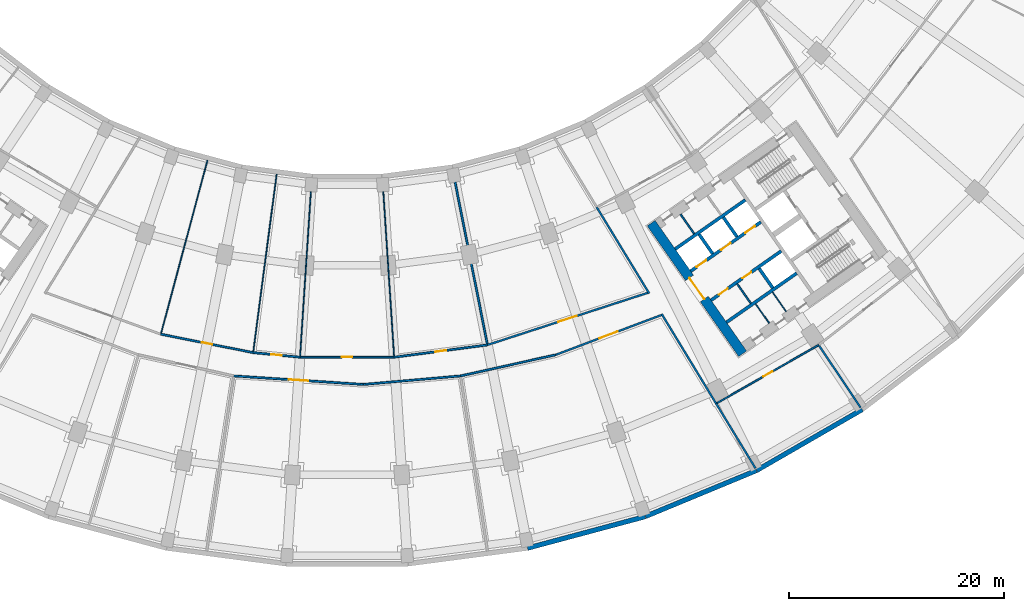
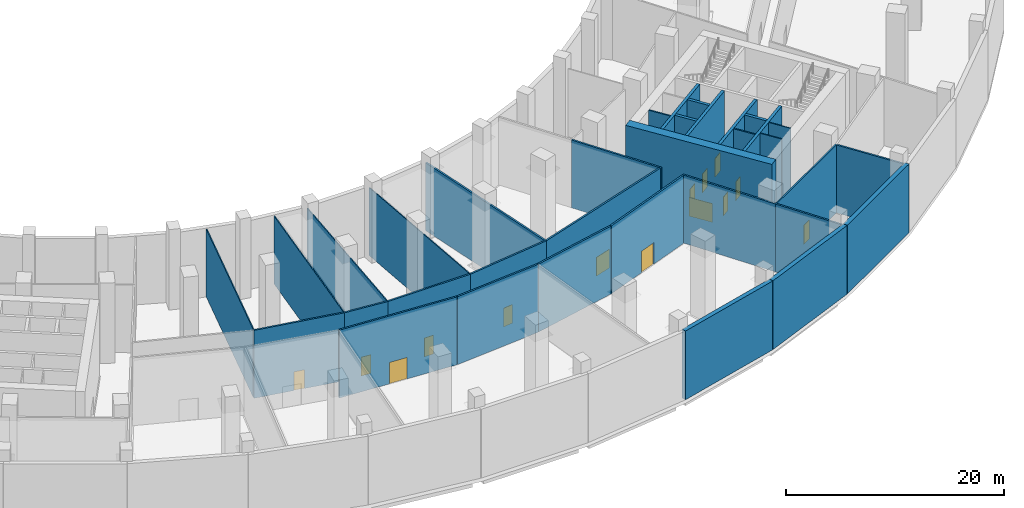
# One storey, part 8 of 17: 34 walls, 14 doors, 14 openings.
"""IFC4 building model written with IfcOpenShell, lengths in metres."""

from ifc_helpers import new_model, si_unit, direction, frame, frame_2d, origin, place, context, subcontext, project, spatial, rectangle, extrude, material, layer, layer_set, type_object, element, fill, save


model = new_model("IFC4")

# Units and contexts
model_context = context("Model", 3, precision=1e-05, world=origin(), true_north=direction((0.0, 1.0)))
body_context = subcontext(model_context, "Body", "Model", "MODEL_VIEW")
ifc_project = project(units=[si_unit("LENGTHUNIT", "METRE"), si_unit("AREAUNIT", "SQUARE_METRE"), si_unit("VOLUMEUNIT", "CUBIC_METRE"), si_unit("PLANEANGLEUNIT", "RADIAN"), si_unit("MASSUNIT", "GRAM", prefix="KILO")], contexts=[model_context])

# Site, building, storey
site_placement = place(None, origin())
site = spatial("IfcSite", under=ifc_project, at=site_placement, CompositionType="ELEMENT")
building_placement = place(site_placement, origin())
building = spatial("IfcBuilding", under=site, at=building_placement, Name="Qamariyya Broadcast Tower", CompositionType="ELEMENT")
storey_placement = place(building_placement, frame((0.0, 0.0, 18.0)))
storey = spatial("IfcBuildingStorey", under=building, at=storey_placement, Name="L02", CompositionType="ELEMENT", Elevation=18.0)

# Wall, opening, door
ifc_material_1 = material(Name="Concrete C70/85", Category="concrete")
ifc_layer_1 = layer(ifc_material_1, 0.89990234375)
ifc_layer_set_1 = layer_set([ifc_layer_1], Name="Core wall 900 mm Concrete C70/85")
wall_type_1 = type_object("IfcWallType", Name="Core wall 900 mm Concrete C70/85", PredefinedType="SHEAR", material=ifc_layer_set_1)
wall_1_placement = place(storey_placement, frame((36.716796875, -66.3369140625, 0.0), z_axis=(0.0, 0.0, 1.0), x_axis=(-0.573577477574, 0.819151315216, 0.0)))
wall_1 = element("IfcWall", 1, at=wall_1_placement, inside=storey, type_object=wall_type_1, Name="k-E-L02-WA", PredefinedType="SHEAR", context=body_context, shape_type="SweptSolid", body=[
    extrude(rectangle(XDim=14.800048828125, YDim=0.89990234375, at=frame_2d((7.39990234375, 0.0))), origin(), (0.0, 0.0, 1.0), 8.60009765625),
])
opening_1_placement = place(wall_1_placement, frame((6.199951171875, 0.0, 0.0)))
opening_1 = element("IfcOpeningElement", 2, at=opening_1_placement, cuts=wall_1, Name="Opening KD3-E1", PredefinedType="OPENING", context=body_context, shape_type="SweptSolid", body=[
    extrude(rectangle(XDim=2.39990234375, YDim=2.10009765625, at=frame_2d((1.199951171875, 1.050048828125))), frame((0.0, 0.4599609375, 0.0), z_axis=(0.0, -1.0, 0.0), x_axis=(1.0, 0.0, 0.0)), (0.0, 0.0, 1.0), 0.919921875),
])
ifc_material_2 = material(Name="Steel fire-resisting door leaf", Category="steel")
door_type_1 = type_object("IfcDoorType", Name="Lift lobby door KD3", OperationType="DOUBLE_DOOR_SINGLE_SWING", PredefinedType="DOOR", material=ifc_material_2)
door_1_placement = place(opening_1_placement, origin())
door_1 = element("IfcDoor", 3, at=door_1_placement, inside=storey, type_object=door_type_1, Name="k-E-L02-WA-D1", OperationType="DOUBLE_DOOR_SINGLE_SWING", OverallHeight=2.10009765625, OverallWidth=2.39990234375, PredefinedType="DOOR", context=body_context, shape_type="SweptSolid", body=[
    extrude(rectangle(XDim=2.39990234375, YDim=2.10009765625, at=frame_2d((1.199951171875, 1.050048828125))), frame((0.0, 0.02490234375, 0.0), z_axis=(0.0, -1.0, 0.0), x_axis=(1.0, 0.0, 0.0)), (0.0, 0.0, 1.0), 0.050048828125),
])
fill(opening_1, door_1)

ifc_material_3 = material(Name="Gypsum board partition")
ifc_layer_2 = layer(ifc_material_3, 0.14990234375)
ifc_layer_set_2 = layer_set([ifc_layer_2], Name="Corridor partition 150 EI 60")
wall_type_2 = type_object("IfcWallType", Name="Corridor partition 150 EI 60", PredefinedType="PARTITIONING", material=ifc_layer_set_2)
wall_2_placement = place(storey_placement, frame((43.779052734375, -65.519775390625, 0.0), z_axis=(0.0, 0.0, 1.0), x_axis=(-0.868109106225, -0.496373427663, 0.0)))
wall_2 = element("IfcWall", 4, at=wall_2_placement, inside=storey, type_object=wall_type_2, Name="Partition L02-047", PredefinedType="PARTITIONING", context=body_context, shape_type="SweptSolid", body=[
    extrude(rectangle(XDim=10.875244140625, YDim=0.14990234375, at=frame_2d((5.4375, 0.0))), origin(), (0.0, 0.0, 1.0), 7.60009765625),
])
opening_2_placement = place(wall_2_placement, frame((4.9375, 0.0, 0.0)))
opening_2 = element("IfcOpeningElement", 5, at=opening_2_placement, cuts=wall_2, Name="Opening L02-D20", PredefinedType="OPENING", context=body_context, shape_type="SweptSolid", body=[
    extrude(rectangle(XDim=1.0, YDim=2.10009765625, at=frame_2d((0.5, 1.050048828125))), frame((0.0, 0.0849609375, 0.0), z_axis=(0.0, -1.0, 0.0), x_axis=(1.0, 0.0, 0.0)), (0.0, 0.0, 1.0), 0.169921875),
])
ifc_material_4 = material(Name="Timber fire door leaf", Category="wood")
door_type_2 = type_object("IfcDoorType", Name="Fire door 1000 x 2100 FD60", OperationType="NOTDEFINED", PredefinedType="DOOR", material=ifc_material_4)
door_2_placement = place(opening_2_placement, origin())
door_2 = element("IfcDoor", 6, at=door_2_placement, inside=storey, type_object=door_type_2, Name="Door L02-D20", OperationType="SINGLE_SWING_RIGHT", OverallHeight=2.10009765625, OverallWidth=1.0, PredefinedType="DOOR", context=body_context, shape_type="SweptSolid", body=[
    extrude(rectangle(XDim=1.0, YDim=2.10009765625, at=frame_2d((0.5, 1.050048828125))), frame((0.0, 0.02490234375, 0.0), z_axis=(0.0, -1.0, 0.0), x_axis=(1.0, 0.0, 0.0)), (0.0, 0.0, 1.0), 0.050048828125),
])
fill(opening_2, door_2)

# Walls
ifc_material_5 = material(Name="Gypsum board partition on steel studs", Category="steel")
ifc_layer_3 = layer(ifc_material_5, 0.14990234375)
ifc_layer_set_3 = layer_set([ifc_layer_3], Name="Gypsum board partition 150 mm")
wall_type_3 = type_object("IfcWallType", Name="Gypsum board partition 150 mm", PredefinedType="PARTITIONING", material=ifc_layer_set_3)
for number, where, z_axis, x_axis, name in (
    (7, (36.2080078125, -59.85693359375, 0.0), (0.0, 0.0, 1.0), (0.573581496053, -0.819148501424, 0.0), "k-E-L02-SC285"),
    (8, (32.2177734375, -55.204345703125, 0.0), (0.0, 0.0, 1.0), (-0.573581496053, 0.819148501424, 0.0), "k-E-L02-NP225"),
):
    element("IfcWall", number, at=place(storey_placement, frame(where, z_axis=z_axis, x_axis=x_axis)), inside=storey, type_object=wall_type_3, Name=name, PredefinedType="PARTITIONING", context=body_context, shape_type="SweptSolid", body=[
        extrude(rectangle(XDim=2.2001953125, YDim=0.14990234375, at=frame_2d((1.10009765625, 0.0))), origin(), (0.0, 0.0, 1.0), 8.60009765625),
    ])

# Wall, openings, doors
ifc_material_6 = material(Name="Concrete C60/75", Category="concrete")
ifc_layer_4 = layer(ifc_material_6, 0.300048828125)
ifc_layer_set_4 = layer_set([ifc_layer_4], Name="Lift shaft wall 300 mm Concrete C60/75")
wall_type_4 = type_object("IfcWallType", Name="Lift shaft wall 300 mm Concrete C60/75", PredefinedType="SOLIDWALL", material=ifc_layer_set_4)
wall_3_placement = place(storey_placement, frame((31.89453125, -58.66552734375, 0.0), z_axis=(0.0, 0.0, 1.0), x_axis=(0.819166993208, 0.573555086491, 0.0)))
wall_3 = element("IfcWall", 9, at=wall_3_placement, inside=storey, type_object=wall_type_4, Name="k-E-L02-NF0", PredefinedType="SOLIDWALL", context=body_context, shape_type="SweptSolid", body=[
    extrude(rectangle(XDim=7.9501953125, YDim=0.300048828125, at=frame_2d((3.97509765625, 0.0))), origin(), (0.0, 0.0, 1.0), 8.60009765625),
])
opening_3_placement = place(wall_3_placement, frame((0.675048828125, 0.0, 0.0)))
opening_3 = element("IfcOpeningElement", 10, at=opening_3_placement, cuts=wall_3, Name="Opening LD", PredefinedType="OPENING", context=body_context, shape_type="SweptSolid", body=[
    extrude(rectangle(XDim=1.10009765625, YDim=2.10009765625, at=frame_2d((0.550048828125, 1.050048828125))), frame((0.0, 0.159912109375, 0.0), z_axis=(0.0, -1.0, 0.0), x_axis=(1.0, 0.0, 0.0)), (0.0, 0.0, 1.0), 0.320068359375),
])
opening_4_placement = place(wall_3_placement, frame((3.425048828125, 0.0, 0.0)))
opening_4 = element("IfcOpeningElement", 11, at=opening_4_placement, cuts=wall_3, Name="Opening LD", PredefinedType="OPENING", context=body_context, shape_type="SweptSolid", body=[
    extrude(rectangle(XDim=1.10009765625, YDim=2.10009765625, at=frame_2d((0.550048828125, 1.050048828125))), frame((0.0, 0.159912109375, 0.0), z_axis=(0.0, -1.0, 0.0), x_axis=(1.0, 0.0, 0.0)), (0.0, 0.0, 1.0), 0.320068359375),
])
opening_5_placement = place(wall_3_placement, frame((6.175048828125, 0.0, 0.0)))
opening_5 = element("IfcOpeningElement", 12, at=opening_5_placement, cuts=wall_3, Name="Opening LD", PredefinedType="OPENING", context=body_context, shape_type="SweptSolid", body=[
    extrude(rectangle(XDim=1.10009765625, YDim=2.10009765625, at=frame_2d((0.550048828125, 1.050048828125))), frame((0.0, 0.159912109375, 0.0), z_axis=(0.0, -1.0, 0.0), x_axis=(1.0, 0.0, 0.0)), (0.0, 0.0, 1.0), 0.320068359375),
])
door_type_3 = type_object("IfcDoorType", Name="Lift landing door LD", OperationType="DOUBLE_DOOR_SLIDING", PredefinedType="DOOR", material=ifc_material_2)
door_3_placement = place(opening_3_placement, origin())
door_3 = element("IfcDoor", 13, at=door_3_placement, inside=storey, type_object=door_type_3, Name="k-E-L02-NF0-D2", OperationType="DOUBLE_DOOR_SLIDING", OverallHeight=2.10009765625, OverallWidth=1.10009765625, PredefinedType="DOOR", context=body_context, shape_type="SweptSolid", body=[
    extrude(rectangle(XDim=1.10009765625, YDim=2.10009765625, at=frame_2d((0.550048828125, 1.050048828125))), frame((0.0, 0.02490234375, 0.0), z_axis=(0.0, -1.0, 0.0), x_axis=(1.0, 0.0, 0.0)), (0.0, 0.0, 1.0), 0.050048828125),
])
fill(opening_3, door_3)
door_4_placement = place(opening_4_placement, origin())
door_4 = element("IfcDoor", 14, at=door_4_placement, inside=storey, type_object=door_type_3, Name="k-E-L02-NF0-D3", OperationType="DOUBLE_DOOR_SLIDING", OverallHeight=2.10009765625, OverallWidth=1.10009765625, PredefinedType="DOOR", context=body_context, shape_type="SweptSolid", body=[
    extrude(rectangle(XDim=1.10009765625, YDim=2.10009765625, at=frame_2d((0.550048828125, 1.050048828125))), frame((0.0, 0.02490234375, 0.0), z_axis=(0.0, -1.0, 0.0), x_axis=(1.0, 0.0, 0.0)), (0.0, 0.0, 1.0), 0.050048828125),
])
fill(opening_4, door_4)
door_5_placement = place(opening_5_placement, origin())
door_5 = element("IfcDoor", 15, at=door_5_placement, inside=storey, type_object=door_type_3, Name="k-E-L02-NF0-D4", OperationType="DOUBLE_DOOR_SLIDING", OverallHeight=2.10009765625, OverallWidth=1.10009765625, PredefinedType="DOOR", context=body_context, shape_type="SweptSolid", body=[
    extrude(rectangle(XDim=1.10009765625, YDim=2.10009765625, at=frame_2d((0.550048828125, 1.050048828125))), frame((0.0, 0.02490234375, 0.0), z_axis=(0.0, -1.0, 0.0), x_axis=(1.0, 0.0, 0.0)), (0.0, 0.0, 1.0), 0.050048828125),
])
fill(opening_5, door_5)

# Walls
wall_4_placement = place(storey_placement, frame((30.460693359375, -56.61767578125, 0.0), z_axis=(0.0, 0.0, 1.0), x_axis=(0.819142461705, 0.573590121456, 0.0)))
element("IfcWall", 16, at=wall_4_placement, inside=storey, type_object=wall_type_4, Name="k-E-L02-NB0", PredefinedType="SOLIDWALL", context=body_context, shape_type="SweptSolid", body=[
    extrude(rectangle(XDim=7.949951171875, YDim=0.300048828125, at=frame_2d((3.97509765625, 0.0))), origin(), (0.0, 0.0, 1.0), 8.60009765625),
])
wall_5_placement = place(storey_placement, frame((33.9384765625, -57.051513671875, 0.0), z_axis=(0.0, 0.0, 1.0), x_axis=(-0.573581496053, 0.819148501424, 0.0)))
element("IfcWall", 17, at=wall_5_placement, inside=storey, type_object=wall_type_4, Name="k-E-L02-ND0", PredefinedType="SOLIDWALL", context=body_context, shape_type="SweptSolid", body=[
    extrude(rectangle(XDim=2.2001953125, YDim=0.300048828125, at=frame_2d((1.10009765625, 0.0))), origin(), (0.0, 0.0, 1.0), 8.60009765625),
])
wall_6_placement = place(storey_placement, frame((36.19091796875, -55.47412109375, 0.0), z_axis=(0.0, 0.0, 1.0), x_axis=(-0.573507030513, 0.819200638399, 0.0)))
element("IfcWall", 18, at=wall_6_placement, inside=storey, type_object=wall_type_4, Name="k-E-L02-ND1", PredefinedType="SOLIDWALL", context=body_context, shape_type="SweptSolid", body=[
    extrude(rectangle(XDim=2.199951171875, YDim=0.300048828125, at=frame_2d((1.10009765625, 0.0))), origin(), (0.0, 0.0, 1.0), 8.60009765625),
])

# Wall, openings, doors
wall_7_placement = place(storey_placement, frame((33.787353515625, -61.368896484375, 0.0), z_axis=(0.0, 0.0, 1.0), x_axis=(0.819152564888, 0.573575692858, 0.0)))
wall_7 = element("IfcWall", 19, at=wall_7_placement, inside=storey, type_object=wall_type_4, Name="k-E-L02-SF0", PredefinedType="SOLIDWALL", context=body_context, shape_type="SweptSolid", body=[
    extrude(rectangle(XDim=7.9501953125, YDim=0.300048828125, at=frame_2d((3.97509765625, 0.0))), origin(), (0.0, 0.0, 1.0), 8.60009765625),
])
opening_6_placement = place(wall_7_placement, frame((0.887451171875, 0.0, 0.0)))
opening_6 = element("IfcOpeningElement", 20, at=opening_6_placement, cuts=wall_7, Name="Opening KD4-E1", PredefinedType="OPENING", context=body_context, shape_type="SweptSolid", body=[
    extrude(rectangle(XDim=1.0, YDim=2.10009765625, at=frame_2d((0.5, 1.050048828125))), frame((0.0, 0.159912109375, 0.0), z_axis=(0.0, -1.0, 0.0), x_axis=(1.0, 0.0, 0.0)), (0.0, 0.0, 1.0), 0.320068359375),
])
opening_7_placement = place(wall_7_placement, frame((3.5625, 0.0, 0.0)))
opening_7 = element("IfcOpeningElement", 21, at=opening_7_placement, cuts=wall_7, Name="Opening KD6-E1", PredefinedType="OPENING", context=body_context, shape_type="SweptSolid", body=[
    extrude(rectangle(XDim=1.0, YDim=2.10009765625, at=frame_2d((0.5, 1.050048828125))), frame((0.0, 0.159912109375, 0.0), z_axis=(0.0, -1.0, 0.0), x_axis=(1.0, 0.0, 0.0)), (0.0, 0.0, 1.0), 0.320068359375),
])
door_type_4 = type_object("IfcDoorType", Name="Core room door KD6", OperationType="SINGLE_SWING_LEFT", PredefinedType="DOOR", material=ifc_material_2)
door_6_placement = place(opening_7_placement, origin())
door_6 = element("IfcDoor", 22, at=door_6_placement, inside=storey, type_object=door_type_4, Name="k-E-L02-SF0-D6", OperationType="SINGLE_SWING_RIGHT", OverallHeight=2.10009765625, OverallWidth=1.0, PredefinedType="DOOR", context=body_context, shape_type="SweptSolid", body=[
    extrude(rectangle(XDim=1.0, YDim=2.10009765625, at=frame_2d((0.5, 1.050048828125))), frame((0.0, 0.02490234375, 0.0), z_axis=(0.0, -1.0, 0.0), x_axis=(1.0, 0.0, 0.0)), (0.0, 0.0, 1.0), 0.050048828125),
])
fill(opening_7, door_6)
door_type_5 = type_object("IfcDoorType", Name="Riser and plant door KD4", OperationType="SINGLE_SWING_LEFT", PredefinedType="DOOR", material=ifc_material_2)
door_7_placement = place(opening_6_placement, origin())
door_7 = element("IfcDoor", 23, at=door_7_placement, inside=storey, type_object=door_type_5, Name="k-E-L02-SF0-D5", OperationType="SINGLE_SWING_LEFT", OverallHeight=2.10009765625, OverallWidth=1.0, PredefinedType="DOOR", context=body_context, shape_type="SweptSolid", body=[
    extrude(rectangle(XDim=1.0, YDim=2.10009765625, at=frame_2d((0.5, 1.050048828125))), frame((0.0, 0.02490234375, 0.0), z_axis=(0.0, -1.0, 0.0), x_axis=(1.0, 0.0, 0.0)), (0.0, 0.0, 1.0), 0.050048828125),
])
fill(opening_6, door_7)

# Walls
wall_8_placement = place(storey_placement, frame((35.22119140625, -63.41650390625, 0.0), z_axis=(0.0, 0.0, 1.0), x_axis=(0.819166993208, 0.573555086491, 0.0)))
element("IfcWall", 24, at=wall_8_placement, inside=storey, type_object=wall_type_4, Name="k-E-L02-SB0", PredefinedType="SOLIDWALL", context=body_context, shape_type="SweptSolid", body=[
    extrude(rectangle(XDim=7.9501953125, YDim=0.300048828125, at=frame_2d((3.97509765625, 0.0))), origin(), (0.0, 0.0, 1.0), 8.60009765625),
])
wall_9_placement = place(storey_placement, frame((38.255859375, -58.423095703125, 0.0), z_axis=(0.0, 0.0, 1.0), x_axis=(0.573633636671, -0.819111989218, 0.0)))
element("IfcWall", 25, at=wall_9_placement, inside=storey, type_object=wall_type_4, Name="k-E-L02-SD1", PredefinedType="SOLIDWALL", context=body_context, shape_type="SweptSolid", body=[
    extrude(rectangle(XDim=2.199951171875, YDim=0.300048828125, at=frame_2d((1.10009765625, 0.0))), origin(), (0.0, 0.0, 1.0), 8.60009765625),
])
ifc_layer_5 = layer(ifc_material_3, 0.10009765625)
ifc_layer_set_5 = layer_set([ifc_layer_5], Name="Partition 100")
wall_type_5 = type_object("IfcWallType", Name="Partition 100", PredefinedType="PARTITIONING", material=ifc_layer_set_5)
wall_10_placement = place(storey_placement, frame((-12.965087890625, -48.386474609375, 0.0), z_axis=(0.0, 0.0, 1.0), x_axis=(-0.258822009397, -0.965925032004, 0.0)))
element("IfcWall", 26, at=wall_10_placement, inside=storey, type_object=wall_type_5, Name="Partition L02-026", PredefinedType="PARTITIONING", context=body_context, shape_type="SweptSolid", body=[
    extrude(rectangle(XDim=16.61669921875, YDim=0.10009765625, at=frame_2d((8.308349609375, 0.0))), origin(), (0.0, 0.0, 1.0), 7.60009765625),
])
wall_11_placement = place(storey_placement, frame((-6.53857421875, -49.6650390625, 0.0), z_axis=(0.0, 0.0, 1.0), x_axis=(-0.130529385637, -0.991444440947, 0.0)))
element("IfcWall", 27, at=wall_11_placement, inside=storey, type_object=wall_type_5, Name="Partition L02-029", PredefinedType="PARTITIONING", context=body_context, shape_type="SweptSolid", body=[
    extrude(rectangle(XDim=16.616455078125, YDim=0.10009765625, at=frame_2d((8.30810546875, 0.0))), origin(), (0.0, 0.0, 1.0), 7.60009765625),
])
for number, where, z_axis, x_axis, name in (
    (28, (-3.283203125, -50.092529296875, 0.0), (0.0, 0.0, 1.0), (-0.065405001109, -0.997858800547, 0.0), "Partition L02-031"),
    (29, (3.283203125, -50.092529296875, 0.0), (0.0, 0.0, 1.0), (0.065405001109, -0.997858800547, 0.0), "Partition L02-033"),
):
    element("IfcWall", number, at=place(storey_placement, frame(where, z_axis=z_axis, x_axis=x_axis)), inside=storey, type_object=wall_type_5, Name=name, PredefinedType="PARTITIONING", context=body_context, shape_type="SweptSolid", body=[
        extrude(rectangle(XDim=16.510009765625, YDim=0.10009765625, at=frame_2d((8.2548828125, 0.0))), origin(), (0.0, 0.0, 1.0), 7.60009765625),
    ])
ifc_material_7 = material(Name="Precast concrete C40/50 with terracotta facing", Category="masonry")
ifc_layer_6 = layer(ifc_material_7, 0.449951171875)
ifc_layer_set_6 = layer_set([ifc_layer_6], Name="Precast concrete C40/50 wall 450, terracotta faced")
wall_type_6 = type_object("IfcWallType", Name="Precast concrete C40/50 wall 450, terracotta faced", PredefinedType="SOLIDWALL", material=ifc_layer_set_6)
wall_12_placement = place(storey_placement, frame((16.753662109375, -84.37939453125, 0.0), z_axis=(0.0, 0.0, 1.0), x_axis=(0.965923678926, 0.258827059038, 0.0)))
element("IfcWall", 30, at=wall_12_placement, inside=storey, type_object=wall_type_6, Name="e-wl-L02-out120", PredefinedType="SOLIDWALL", context=body_context, shape_type="SweptSolid", body=[
    extrude(rectangle(XDim=11.3125, YDim=0.449951171875, at=frame_2d((5.65625, 0.0))), origin(), (0.0, 0.0, 1.0), 7.699951171875),
])
wall_13_placement = place(storey_placement, frame((27.7060546875, -81.436767578125, 0.0), z_axis=(0.0, 0.0, 1.0), x_axis=(0.923874126662, 0.382696482978, 0.0)))
element("IfcWall", 31, at=wall_13_placement, inside=storey, type_object=wall_type_6, Name="e-wl-L02-out130", PredefinedType="SOLIDWALL", context=body_context, shape_type="SweptSolid", body=[
    extrude(rectangle(XDim=11.134765625, YDim=0.449951171875, at=frame_2d((5.5673828125, 0.0))), origin(), (0.0, 0.0, 1.0), 7.699951171875),
])
wall_14_placement = place(storey_placement, frame((38.021728515625, -77.16796875, 0.0), z_axis=(0.0, 0.0, 1.0), x_axis=(0.866024577697, 0.500001430823, 0.0)))
element("IfcWall", 32, at=wall_14_placement, inside=storey, type_object=wall_type_6, Name="e-wl-L02-out140", PredefinedType="SOLIDWALL", context=body_context, shape_type="SweptSolid", body=[
    extrude(rectangle(XDim=11.3125, YDim=0.449951171875, at=frame_2d((5.65625, 0.0))), origin(), (0.0, 0.0, 1.0), 7.699951171875),
])
ifc_material_8 = material(Name="Fire-rated gypsum shaft liner on steel studs", Category="steel")
ifc_layer_7 = layer(ifc_material_8, 0.10009765625)
ifc_layer_set_7 = layer_set([ifc_layer_7], Name="Riser wall 100 mm")
wall_type_7 = type_object("IfcWallType", Name="Riser wall 100 mm", PredefinedType="PLUMBINGWALL", material=ifc_layer_set_7)
wall_15_placement = place(storey_placement, frame((37.9287109375, -61.7041015625, 0.0), z_axis=(0.0, 0.0, 1.0), x_axis=(0.573559170999, -0.819164133348, 0.0)))
element("IfcWall", 33, at=wall_15_placement, inside=storey, type_object=wall_type_7, Name="k-E-L02-SP320", PredefinedType="PLUMBINGWALL", context=body_context, shape_type="SweptSolid", body=[
    extrude(rectangle(XDim=2.19970703125, YDim=0.10009765625, at=frame_2d((1.099853515625, 0.0))), origin(), (0.0, 0.0, 1.0), 8.60009765625),
])
wall_16_placement = place(storey_placement, frame((39.485107421875, -60.6142578125, 0.0), z_axis=(0.0, 0.0, 1.0), x_axis=(0.573507030513, -0.819200638399, 0.0)))
element("IfcWall", 34, at=wall_16_placement, inside=storey, type_object=wall_type_7, Name="k-E-L02-SP510", PredefinedType="PLUMBINGWALL", context=body_context, shape_type="SweptSolid", body=[
    extrude(rectangle(XDim=2.199951171875, YDim=0.10009765625, at=frame_2d((1.10009765625, 0.0))), origin(), (0.0, 0.0, 1.0), 8.60009765625),
])

# Wall, opening, door
ifc_layer_8 = layer(ifc_material_3, 0.179931640625)
ifc_layer_set_8 = layer_set([ifc_layer_8], Name="Studio acoustic partition 180 EI 60")
wall_type_8 = type_object("IfcWallType", Name="Studio acoustic partition 180 EI 60", PredefinedType="PARTITIONING", material=ifc_layer_set_8)
wall_17_placement = place(storey_placement, frame((-17.2890625, -64.52392578125, 0.0), z_axis=(0.0, 0.0, 1.0), x_axis=(0.980786466832, -0.195084357342, 0.0)))
wall_17 = element("IfcWall", 35, at=wall_17_placement, inside=storey, type_object=wall_type_8, Name="Partition L02-024", PredefinedType="PARTITIONING", context=body_context, shape_type="SweptSolid", body=[
    extrude(rectangle(XDim=8.73779296875, YDim=0.179931640625, at=frame_2d((4.368896484375, 0.0))), origin(), (0.0, 0.0, 1.0), 7.60009765625),
])
opening_8_placement = place(wall_17_placement, frame((3.868896484375, 0.0, 0.0)))
opening_8 = element("IfcOpeningElement", 36, at=opening_8_placement, cuts=wall_17, Name="Opening L02-D06", PredefinedType="OPENING", context=body_context, shape_type="SweptSolid", body=[
    extrude(rectangle(XDim=1.0, YDim=2.10009765625, at=frame_2d((0.5, 1.050048828125))), frame((0.0, 0.099853515625, 0.0), z_axis=(0.0, -1.0, 0.0), x_axis=(1.0, 0.0, 0.0)), (0.0, 0.0, 1.0), 0.199951171875),
])
door_8_placement = place(opening_8_placement, origin())
door_8 = element("IfcDoor", 37, at=door_8_placement, inside=storey, type_object=door_type_2, Name="Door L02-D06", OperationType="SINGLE_SWING_RIGHT", OverallHeight=2.10009765625, OverallWidth=1.0, PredefinedType="DOOR", context=body_context, shape_type="SweptSolid", body=[
    extrude(rectangle(XDim=1.0, YDim=2.10009765625, at=frame_2d((0.5, 1.050048828125))), frame((0.0, 0.02490234375, 0.0), z_axis=(0.0, -1.0, 0.0), x_axis=(1.0, 0.0, 0.0)), (0.0, 0.0, 1.0), 0.050048828125),
])
fill(opening_8, door_8)

wall_18_placement = place(storey_placement, frame((1.501708984375, -69.182861328125, 0.0), z_axis=(0.0, 0.0, 1.0), x_axis=(-0.997858639377, 0.065407459975, 0.0)))
wall_18 = element("IfcWall", 38, at=wall_18_placement, inside=storey, type_object=wall_type_8, Name="Partition L02-027", PredefinedType="PARTITIONING", context=body_context, shape_type="SweptSolid", body=[
    extrude(rectangle(XDim=12.056396484375, YDim=0.179931640625, at=frame_2d((6.0283203125, 0.0))), origin(), (0.0, 0.0, 1.0), 7.60009765625),
])
opening_9_placement = place(wall_18_placement, frame((5.128173828125, 0.0, 0.0)))
opening_9 = element("IfcOpeningElement", 39, at=opening_9_placement, cuts=wall_18, Name="Opening L02-D03", PredefinedType="OPENING", context=body_context, shape_type="SweptSolid", body=[
    extrude(rectangle(XDim=1.800048828125, YDim=2.39990234375, at=frame_2d((0.89990234375, 1.199951171875))), frame((0.0, 0.099853515625, 0.0), z_axis=(0.0, -1.0, 0.0), x_axis=(1.0, 0.0, 0.0)), (0.0, 0.0, 1.0), 0.199951171875),
])
ifc_material_9 = material(Name="Acoustic timber door leaf", Category="wood")
door_type_6 = type_object("IfcDoorType", Name="Studio double door 1800 x 2400 FD60", OperationType="NOTDEFINED", PredefinedType="DOOR", material=ifc_material_9)
door_9_placement = place(opening_9_placement, origin())
door_9 = element("IfcDoor", 40, at=door_9_placement, inside=storey, type_object=door_type_6, Name="Door L02-D03", OperationType="DOUBLE_DOOR_SINGLE_SWING", OverallHeight=2.39990234375, OverallWidth=1.800048828125, PredefinedType="DOOR", context=body_context, shape_type="SweptSolid", body=[
    extrude(rectangle(XDim=1.800048828125, YDim=2.39990234375, at=frame_2d((0.89990234375, 1.199951171875))), frame((0.0, 0.02490234375, 0.0), z_axis=(0.0, -1.0, 0.0), x_axis=(1.0, 0.0, 0.0)), (0.0, 0.0, 1.0), 0.050048828125),
])
fill(opening_9, door_9)

wall_19_placement = place(storey_placement, frame((-8.71923828125, -66.228515625, 0.0), z_axis=(0.0, 0.0, 1.0), x_axis=(0.995184826457, -0.098016127192, 0.0)))
wall_19 = element("IfcWall", 41, at=wall_19_placement, inside=storey, type_object=wall_type_8, Name="Partition L02-028", PredefinedType="PARTITIONING", context=body_context, shape_type="SweptSolid", body=[
    extrude(rectangle(XDim=4.371337890625, YDim=0.179931640625, at=frame_2d((2.185546875, 0.0))), origin(), (0.0, 0.0, 1.0), 7.60009765625),
])
opening_10_placement = place(wall_19_placement, frame((1.685546875, 0.0, 0.0)))
opening_10 = element("IfcOpeningElement", 42, at=opening_10_placement, cuts=wall_19, Name="Opening L02-D07", PredefinedType="OPENING", context=body_context, shape_type="SweptSolid", body=[
    extrude(rectangle(XDim=1.0, YDim=2.10009765625, at=frame_2d((0.5, 1.050048828125))), frame((0.0, 0.099853515625, 0.0), z_axis=(0.0, -1.0, 0.0), x_axis=(1.0, 0.0, 0.0)), (0.0, 0.0, 1.0), 0.199951171875),
])
door_10_placement = place(opening_10_placement, origin())
door_10 = element("IfcDoor", 43, at=door_10_placement, inside=storey, type_object=door_type_2, Name="Door L02-D07", OperationType="SINGLE_SWING_RIGHT", OverallHeight=2.10009765625, OverallWidth=1.0, PredefinedType="DOOR", context=body_context, shape_type="SweptSolid", body=[
    extrude(rectangle(XDim=1.0, YDim=2.10009765625, at=frame_2d((0.5, 1.050048828125))), frame((0.0, 0.02490234375, 0.0), z_axis=(0.0, -1.0, 0.0), x_axis=(1.0, 0.0, 0.0)), (0.0, 0.0, 1.0), 0.050048828125),
])
fill(opening_10, door_10)

wall_20_placement = place(storey_placement, frame((-4.368896484375, -66.656982421875, 0.0), z_axis=(0.0, 0.0, 1.0), x_axis=(1.0, 0.0, 0.0)))
wall_20 = element("IfcWall", 44, at=wall_20_placement, inside=storey, type_object=wall_type_8, Name="Partition L02-030", PredefinedType="PARTITIONING", context=body_context, shape_type="SweptSolid", body=[
    extrude(rectangle(XDim=8.73779296875, YDim=0.179931640625, at=frame_2d((4.368896484375, 0.0))), origin(), (0.0, 0.0, 1.0), 7.60009765625),
])
opening_11_placement = place(wall_20_placement, frame((3.868896484375, 0.0, 0.0)))
opening_11 = element("IfcOpeningElement", 45, at=opening_11_placement, cuts=wall_20, Name="Opening L02-D08", PredefinedType="OPENING", context=body_context, shape_type="SweptSolid", body=[
    extrude(rectangle(XDim=1.0, YDim=2.10009765625, at=frame_2d((0.5, 1.050048828125))), frame((0.0, 0.099853515625, 0.0), z_axis=(0.0, -1.0, 0.0), x_axis=(1.0, 0.0, 0.0)), (0.0, 0.0, 1.0), 0.199951171875),
])
door_11_placement = place(opening_11_placement, origin())
door_11 = element("IfcDoor", 46, at=door_11_placement, inside=storey, type_object=door_type_2, Name="Door L02-D08", OperationType="SINGLE_SWING_RIGHT", OverallHeight=2.10009765625, OverallWidth=1.0, PredefinedType="DOOR", context=body_context, shape_type="SweptSolid", body=[
    extrude(rectangle(XDim=1.0, YDim=2.10009765625, at=frame_2d((0.5, 1.050048828125))), frame((0.0, 0.02490234375, 0.0), z_axis=(0.0, -1.0, 0.0), x_axis=(1.0, 0.0, 0.0)), (0.0, 0.0, 1.0), 0.050048828125),
])
fill(opening_11, door_11)

# Wall
wall_21_placement = place(storey_placement, frame((1.521240234375, -69.1826171875, 0.0), z_axis=(0.0, 0.0, 1.0), x_axis=(0.996192105404, 0.087185372228, 0.0)))
element("IfcWall", 47, at=wall_21_placement, inside=storey, type_object=wall_type_8, Name="Partition L02-032", PredefinedType="PARTITIONING", context=body_context, shape_type="SweptSolid", body=[
    extrude(rectangle(XDim=9.0419921875, YDim=0.179931640625, at=frame_2d((4.52099609375, 0.0))), origin(), (0.0, 0.0, 1.0), 7.60009765625),
])

# Wall, opening, door
wall_22_placement = place(storey_placement, frame((4.368896484375, -66.656982421875, 0.0), z_axis=(0.0, 0.0, 1.0), x_axis=(0.991443260322, 0.130538352841, 0.0)))
wall_22 = element("IfcWall", 48, at=wall_22_placement, inside=storey, type_object=wall_type_8, Name="Partition L02-034", PredefinedType="PARTITIONING", context=body_context, shape_type="SweptSolid", body=[
    extrude(rectangle(XDim=8.73779296875, YDim=0.179931640625, at=frame_2d((4.368896484375, 0.0))), origin(), (0.0, 0.0, 1.0), 7.60009765625),
])
opening_12_placement = place(wall_22_placement, frame((3.868896484375, 0.0, 0.0)))
opening_12 = element("IfcOpeningElement", 49, at=opening_12_placement, cuts=wall_22, Name="Opening L02-D09", PredefinedType="OPENING", context=body_context, shape_type="SweptSolid", body=[
    extrude(rectangle(XDim=1.0, YDim=2.10009765625, at=frame_2d((0.5, 1.050048828125))), frame((0.0, 0.099853515625, 0.0), z_axis=(0.0, -1.0, 0.0), x_axis=(1.0, 0.0, 0.0)), (0.0, 0.0, 1.0), 0.199951171875),
])
door_12_placement = place(opening_12_placement, origin())
door_12 = element("IfcDoor", 50, at=door_12_placement, inside=storey, type_object=door_type_2, Name="Door L02-D09", OperationType="SINGLE_SWING_RIGHT", OverallHeight=2.10009765625, OverallWidth=1.0, PredefinedType="DOOR", context=body_context, shape_type="SweptSolid", body=[
    extrude(rectangle(XDim=1.0, YDim=2.10009765625, at=frame_2d((0.5, 1.050048828125))), frame((0.0, 0.02490234375, 0.0), z_axis=(0.0, -1.0, 0.0), x_axis=(1.0, 0.0, 0.0)), (0.0, 0.0, 1.0), 0.050048828125),
])
fill(opening_12, door_12)

# Walls
wall_23_placement = place(storey_placement, frame((9.79345703125, -49.2353515625, 0.0), z_axis=(0.0, 0.0, 1.0), x_axis=(0.195089444663, -0.980785454919, 0.0)))
element("IfcWall", 51, at=wall_23_placement, inside=storey, type_object=wall_type_8, Name="Partition L02-035", PredefinedType="PARTITIONING", context=body_context, shape_type="SweptSolid", body=[
    extrude(rectangle(XDim=16.510009765625, YDim=0.179931640625, at=frame_2d((8.2548828125, 0.0))), origin(), (0.0, 0.0, 1.0), 7.60009765625),
])
wall_24_placement = place(storey_placement, frame((10.52880859375, -68.394287109375, 0.0), z_axis=(0.0, 0.0, 1.0), x_axis=(0.976293034631, 0.216453021533, 0.0)))
element("IfcWall", 52, at=wall_24_placement, inside=storey, type_object=wall_type_8, Name="Partition L02-036", PredefinedType="PARTITIONING", context=body_context, shape_type="SweptSolid", body=[
    extrude(rectangle(XDim=9.04248046875, YDim=0.179931640625, at=frame_2d((4.521240234375, 0.0))), origin(), (0.0, 0.0, 1.0), 7.60009765625),
])

# Wall, opening, door
wall_25_placement = place(storey_placement, frame((13.031982421875, -65.516357421875, 0.0), z_axis=(0.0, 0.0, 1.0), x_axis=(0.950997351979, 0.309199024141, 0.0)))
wall_25 = element("IfcWall", 53, at=wall_25_placement, inside=storey, type_object=wall_type_8, Name="Partition L02-037", PredefinedType="PARTITIONING", context=body_context, shape_type="SweptSolid", body=[
    extrude(rectangle(XDim=15.639404296875, YDim=0.179931640625, at=frame_2d((7.81982421875, 0.0))), origin(), (0.0, 0.0, 1.0), 7.60009765625),
])
opening_13_placement = place(wall_25_placement, frame((6.919677734375, 0.0, 0.0)))
opening_13 = element("IfcOpeningElement", 54, at=opening_13_placement, cuts=wall_25, Name="Opening L02-D10", PredefinedType="OPENING", context=body_context, shape_type="SweptSolid", body=[
    extrude(rectangle(XDim=1.800048828125, YDim=2.10009765625, at=frame_2d((0.89990234375, 1.050048828125))), frame((0.0, 0.099853515625, 0.0), z_axis=(0.0, -1.0, 0.0), x_axis=(1.0, 0.0, 0.0)), (0.0, 0.0, 1.0), 0.199951171875),
])
door_type_7 = type_object("IfcDoorType", Name="Double fire door 1800 x 2100 FD60", OperationType="NOTDEFINED", PredefinedType="DOOR", material=ifc_material_4)
door_13_placement = place(opening_13_placement, origin())
door_13 = element("IfcDoor", 55, at=door_13_placement, inside=storey, type_object=door_type_7, Name="Door L02-D10", OperationType="DOUBLE_DOOR_SINGLE_SWING", OverallHeight=2.10009765625, OverallWidth=1.800048828125, PredefinedType="DOOR", context=body_context, shape_type="SweptSolid", body=[
    extrude(rectangle(XDim=1.800048828125, YDim=2.10009765625, at=frame_2d((0.89990234375, 1.050048828125))), frame((0.0, 0.02490234375, 0.0), z_axis=(0.0, -1.0, 0.0), x_axis=(1.0, 0.0, 0.0)), (0.0, 0.0, 1.0), 0.050048828125),
])
fill(opening_13, door_13)

wall_26_placement = place(storey_placement, frame((29.1611328125, -62.748046875, 0.0), z_axis=(0.0, 0.0, 1.0), x_axis=(-0.935897657387, -0.352272018328, 0.0)))
wall_26 = element("IfcWall", 56, at=wall_26_placement, inside=storey, type_object=wall_type_8, Name="Partition L02-040", PredefinedType="PARTITIONING", context=body_context, shape_type="SweptSolid", body=[
    extrude(rectangle(XDim=10.456787109375, YDim=0.179931640625, at=frame_2d((5.228515625, 0.0))), origin(), (0.0, 0.0, 1.0), 7.60009765625),
])
opening_14_placement = place(wall_26_placement, frame((4.328369140625, 0.0, 0.0)))
opening_14 = element("IfcOpeningElement", 57, at=opening_14_placement, cuts=wall_26, Name="Opening L02-D04", PredefinedType="OPENING", context=body_context, shape_type="SweptSolid", body=[
    extrude(rectangle(XDim=1.800048828125, YDim=2.39990234375, at=frame_2d((0.89990234375, 1.199951171875))), frame((0.0, 0.099853515625, 0.0), z_axis=(0.0, -1.0, 0.0), x_axis=(1.0, 0.0, 0.0)), (0.0, 0.0, 1.0), 0.199951171875),
])
door_14_placement = place(opening_14_placement, origin())
door_14 = element("IfcDoor", 58, at=door_14_placement, inside=storey, type_object=door_type_6, Name="Door L02-D04", OperationType="DOUBLE_DOOR_SINGLE_SWING", OverallHeight=2.39990234375, OverallWidth=1.800048828125, PredefinedType="DOOR", context=body_context, shape_type="SweptSolid", body=[
    extrude(rectangle(XDim=1.800048828125, YDim=2.39990234375, at=frame_2d((0.89990234375, 1.199951171875))), frame((0.0, 0.02490234375, 0.0), z_axis=(0.0, -1.0, 0.0), x_axis=(1.0, 0.0, 0.0)), (0.0, 0.0, 1.0), 0.050048828125),
])
fill(opening_14, door_14)

# Walls
wall_27_placement = place(storey_placement, frame((23.174072265625, -52.732421875, 0.0), z_axis=(0.0, 0.0, 1.0), x_axis=(0.519584464565, -0.854419091654, 0.0)))
element("IfcWall", 59, at=wall_27_placement, inside=storey, type_object=wall_type_8, Name="Partition L02-041", PredefinedType="PARTITIONING", context=body_context, shape_type="SweptSolid", body=[
    extrude(rectangle(XDim=9.35986328125, YDim=0.179931640625, at=frame_2d((4.679931640625, 0.0))), origin(), (0.0, 0.0, 1.0), 7.60009765625),
])
wall_28_placement = place(storey_placement, frame((29.19873046875, -62.639404296875, 0.0), z_axis=(0.0, 0.0, 1.0), x_axis=(0.519569231187, -0.854428355103, 0.0)))
element("IfcWall", 60, at=wall_28_placement, inside=storey, type_object=wall_type_8, Name="Partition L02-044", PredefinedType="PARTITIONING", context=body_context, shape_type="SweptSolid", body=[
    extrude(rectangle(XDim=9.7412109375, YDim=0.179931640625, at=frame_2d((4.87060546875, 0.0))), origin(), (0.0, 0.0, 1.0), 7.60009765625),
])
wall_29_placement = place(storey_placement, frame((34.260009765625, -70.962646484375, 0.0), z_axis=(0.0, 0.0, 1.0), x_axis=(0.519582317334, -0.854420397412, 0.0)))
element("IfcWall", 61, at=wall_29_placement, inside=storey, type_object=wall_type_8, Name="Partition L02-046", PredefinedType="PARTITIONING", context=body_context, shape_type="SweptSolid", body=[
    extrude(rectangle(XDim=7.03173828125, YDim=0.179931640625, at=frame_2d((3.515869140625, 0.0))), origin(), (0.0, 0.0, 1.0), 7.60009765625),
])
wall_30_placement = place(storey_placement, frame((47.66796875, -71.340087890625, 0.0), z_axis=(0.0, 0.0, 1.0), x_axis=(-0.555588604147, 0.831457336814, 0.0)))
element("IfcWall", 62, at=wall_30_placement, inside=storey, type_object=wall_type_8, Name="Partition L02-054", PredefinedType="PARTITIONING", context=body_context, shape_type="SweptSolid", body=[
    extrude(rectangle(XDim=6.909912109375, YDim=0.179931640625, at=frame_2d((3.455078125, 0.0))), origin(), (0.0, 0.0, 1.0), 7.60009765625),
])

save(model, "model.ifc")
